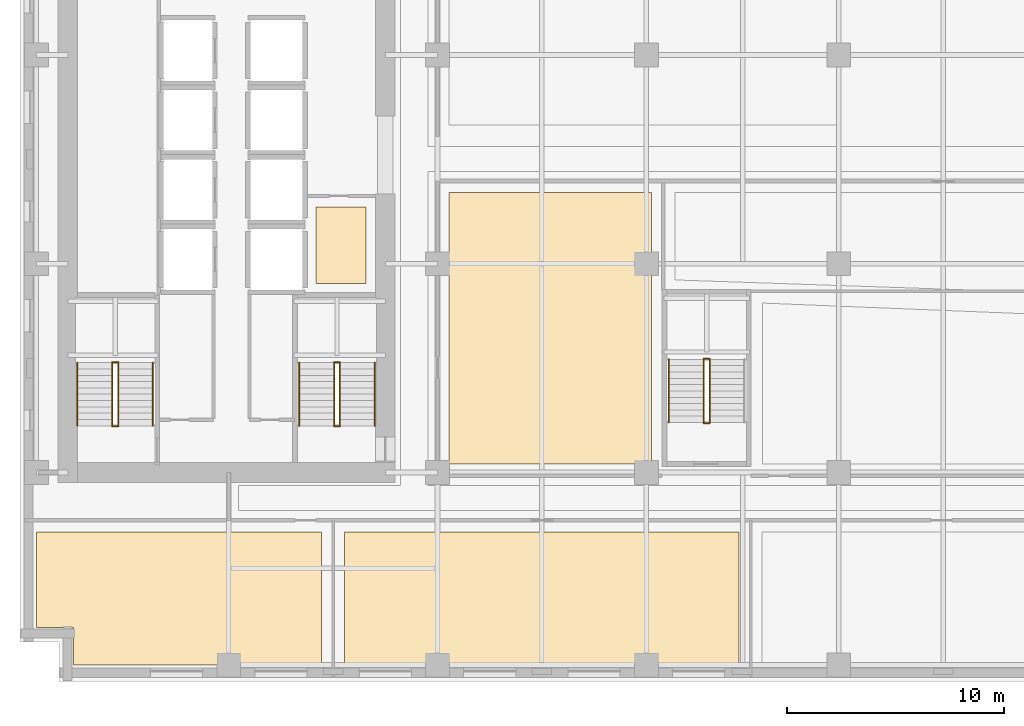
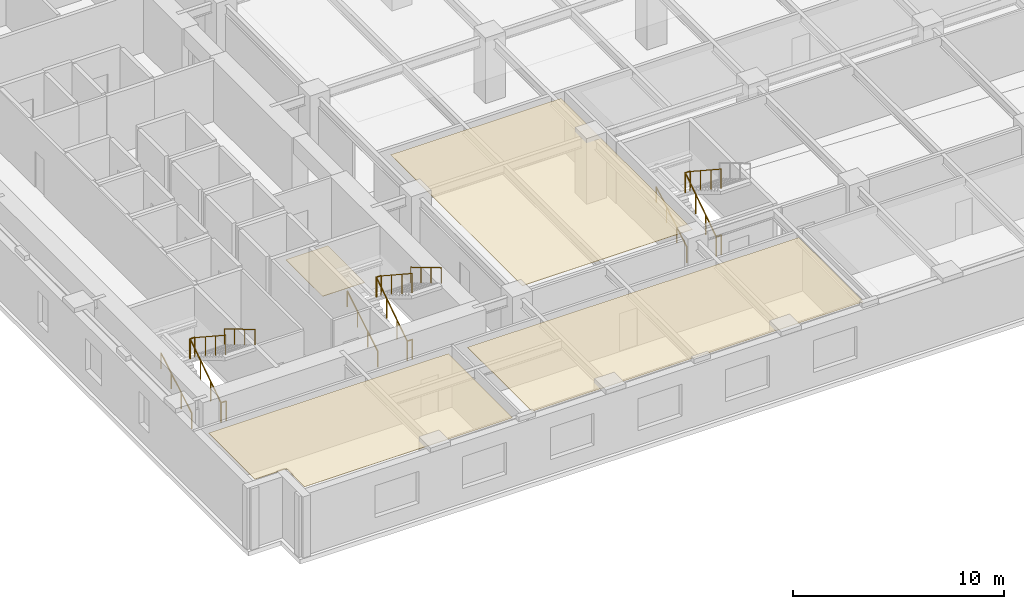
# One storey, part 9 of 13: 17 railings, 4 coverings.
"""IFC4 building model written with IfcOpenShell, lengths in metres."""

from ifc_helpers import new_model, si_unit, direction, frame, origin, origin_2d, place, context, subcontext, project, spatial, polyline, circle, outline, extrude, material, layer, layer_set, type_object, element, save


model = new_model("IFC4")

# Units and contexts
model_context = context("Model", 3, precision=1e-05, world=origin(), true_north=direction((0.0, 1.0)))
body_context = subcontext(model_context, "Body", "Model", "MODEL_VIEW")
ifc_project = project(units=[si_unit("LENGTHUNIT", "METRE"), si_unit("AREAUNIT", "SQUARE_METRE"), si_unit("VOLUMEUNIT", "CUBIC_METRE"), si_unit("PLANEANGLEUNIT", "RADIAN"), si_unit("MASSUNIT", "GRAM", prefix="KILO")], contexts=[model_context])

# Site, building, storey
site_placement = place(None, origin())
site = spatial("IfcSite", under=ifc_project, at=site_placement, CompositionType="ELEMENT")
building_placement = place(site_placement, origin())
building = spatial("IfcBuilding", under=site, at=building_placement, Name="Norrvale University Quadrangle", CompositionType="ELEMENT")
storey_placement = place(building_placement, frame((0.0, 0.0, 77.39990234375)))
storey = spatial("IfcBuildingStorey", under=building, at=storey_placement, Name="L19", CompositionType="ELEMENT", Elevation=77.39990234375)

# Coverings
ifc_material_1 = material(Name="Perforated Acoustic Mineral Ceiling")
ifc_layer_1 = layer(ifc_material_1, 0.02490234375, Name="Perforated Acoustic Mineral Ceiling")
ifc_layer_set_1 = layer_set([ifc_layer_1], Name="Perforated Acoustic Mineral Ceiling")
covering_type_1 = type_object("IfcCoveringType", Name="Covering Acoustic Ceiling 25", PredefinedType="CEILING", material=ifc_layer_set_1)
covering_1_placement = place(storey_placement, frame((0.0, 0.0, 3.51513671875)))
element("IfcCovering", 1, at=covering_1_placement, inside=storey, type_object=covering_type_1, Name="Acoustic Ceiling RM-L19-S01", PredefinedType="CEILING", context=body_context, shape_type="SweptSolid", body=[
    extrude(outline(polyline([(0.75, 6.8701171875), (13.8701171875, 6.8701171875), (13.8701171875, 0.75), (2.469970703125, 0.75), (2.469970703125, 2.469970703125), (0.75, 2.469970703125), (0.75, 6.8701171875)])), origin(), (0.0, 0.0, 1.0), 0.02490234375),
])
covering_2_placement = place(storey_placement, frame((0.0, 0.0, 3.51513671875)))
element("IfcCovering", 2, at=covering_2_placement, inside=storey, type_object=covering_type_1, Name="Acoustic Ceiling RM-L19-S02", PredefinedType="CEILING", context=body_context, shape_type="SweptSolid", body=[
    extrude(outline(polyline([(14.929931640625, 6.8701171875), (33.070068359375, 6.8701171875), (33.070068359375, 0.75), (14.929931640625, 0.75), (14.929931640625, 6.8701171875)])), origin(), (0.0, 0.0, 1.0), 0.02490234375),
])
covering_3_placement = place(storey_placement, frame((0.0, 0.0, 3.51513671875)))
element("IfcCovering", 3, at=covering_3_placement, inside=storey, type_object=covering_type_1, Name="Acoustic Ceiling RM-L19-IW1", PredefinedType="CEILING", context=body_context, shape_type="SweptSolid", body=[
    extrude(outline(polyline([(19.72998046875, 9.97998046875), (19.72998046875, 22.469970703125), (29.050048828125, 22.469970703125), (29.050048828125, 9.97998046875), (19.72998046875, 9.97998046875)])), origin(), (0.0, 0.0, 1.0), 0.02490234375),
])
ifc_material_2 = material(Name="Polished Terrazzo Flooring")
ifc_layer_2 = layer(ifc_material_2, 0.02490234375, Name="Polished Terrazzo Flooring")
ifc_layer_set_2 = layer_set([ifc_layer_2], Name="Polished Terrazzo Flooring")
covering_type_2 = type_object("IfcCoveringType", Name="Covering Terrazzo Floor 30", PredefinedType="FLOORING", material=ifc_layer_set_2)
covering_4_placement = place(storey_placement, origin())
element("IfcCovering", 4, at=covering_4_placement, inside=storey, type_object=covering_type_2, Name="Terrazzo Flooring RM-L19-JAN", PredefinedType="FLOORING", context=body_context, shape_type="SweptSolid", body=[
    extrude(outline(polyline([(13.60009765625, 18.300048828125), (13.60009765625, 21.800048828125), (15.89990234375, 21.800048828125), (15.89990234375, 18.300048828125), (13.60009765625, 18.300048828125)])), origin(), (0.0, 0.0, 1.0), 0.025146484375),
])

# Railings
ifc_material_3 = material(Name="Steel 350W Painted Balustrade", Category="steel")
railing_type_1 = type_object("IfcRailingType", Name="Railing Stair Guard 1100", PredefinedType="GUARDRAIL", material=ifc_material_3)
for number, where, name in (
    (5, (4.239990234375, 11.719970703125, 0.0), "Stair Floor Well Guard ST-01 L19"),
    (6, (4.239990234375, 14.679931640625, 1.900146484375), "Stair Mid-Landing Slot Guard ST-01 L19"),
):
    element("IfcRailing", number, at=place(storey_placement, frame(where)), inside=storey, type_object=railing_type_1, Name=name, PredefinedType="GUARDRAIL", context=body_context, shape_type="SweptSolid", body=[
        extrude(circle(Radius=0.02392578125, at=origin_2d()), frame((0.0, 0.0, 1.1259765625), z_axis=(1.0, 0.0, 0.0), x_axis=(0.0, 1.0, 0.0)), (0.0, 0.0, 1.0), 0.27001953125),
        extrude(circle(Radius=0.02099609375, at=origin_2d()), origin(), (0.0, 0.0, 1.0), 1.101806640625),
        extrude(circle(Radius=0.02099609375, at=origin_2d()), frame((0.27001953125, 0.0, 0.0)), (0.0, 0.0, 1.0), 1.101806640625),
    ])
railing_1_placement = place(storey_placement, frame((4.239990234375, 11.75, 0.0)))
element("IfcRailing", 7, at=railing_1_placement, inside=storey, type_object=railing_type_1, Name="Stair Lower Flight Inner Guard ST-01 L19", PredefinedType="GUARDRAIL", context=body_context, shape_type="SweptSolid", body=[
    extrude(circle(Radius=0.02392578125, at=origin_2d()), frame((0.0, 0.0, 1.1259765625), z_axis=(0.0, 0.836433300813, 0.548068730445), x_axis=(-1.0, 0.0, 0.0)), (0.0, 0.0, 1.0), 3.467041015625),
    extrude(circle(Radius=0.02099609375, at=origin_2d()), origin(), (0.0, 0.0, 1.0), 1.101806640625),
    extrude(circle(Radius=0.02099609375, at=origin_2d()), frame((0.0, 0.966552734375, 0.63330078125)), (0.0, 0.0, 1.0), 1.101806640625),
    extrude(circle(Radius=0.02099609375, at=origin_2d()), frame((0.0, 1.933349609375, 1.266845703125)), (0.0, 0.0, 1.0), 1.101806640625),
    extrude(circle(Radius=0.02099609375, at=origin_2d()), frame((0.0, 2.89990234375, 1.900146484375)), (0.0, 0.0, 1.0), 1.101806640625),
])
railing_2_placement = place(storey_placement, frame((4.510009765625, 14.64990234375, 1.900146484375)))
element("IfcRailing", 8, at=railing_2_placement, inside=storey, type_object=railing_type_1, Name="Stair Upper Flight Inner Guard ST-01 L19", PredefinedType="GUARDRAIL", context=body_context, shape_type="SweptSolid", body=[
    extrude(circle(Radius=0.02392578125, at=origin_2d()), frame((0.0, 0.0, 1.1259765625), z_axis=(0.0, -0.836465582154, 0.548019461216), x_axis=(1.0, 0.0, 0.0)), (0.0, 0.0, 1.0), 3.466796875),
    extrude(circle(Radius=0.02099609375, at=origin_2d()), origin(), (0.0, 0.0, 1.0), 1.101806640625),
    extrude(circle(Radius=0.02099609375, at=origin_2d()), frame((0.0, -0.966552734375, 0.63330078125)), (0.0, 0.0, 1.0), 1.101806640625),
    extrude(circle(Radius=0.02099609375, at=origin_2d()), frame((0.0, -1.933349609375, 1.2666015625)), (0.0, 0.0, 1.0), 1.101806640625),
    extrude(circle(Radius=0.02099609375, at=origin_2d()), frame((0.0, -2.89990234375, 1.89990234375)), (0.0, 0.0, 1.0), 1.101806640625),
])
for number, where, name in (
    (9, (14.43994140625, 11.719970703125, 0.0), "Stair Floor Well Guard ST-03 L19"),
    (10, (14.43994140625, 14.679931640625, 1.900146484375), "Stair Mid-Landing Slot Guard ST-03 L19"),
):
    element("IfcRailing", number, at=place(storey_placement, frame(where)), inside=storey, type_object=railing_type_1, Name=name, PredefinedType="GUARDRAIL", context=body_context, shape_type="SweptSolid", body=[
        extrude(circle(Radius=0.02392578125, at=origin_2d()), frame((0.0, 0.0, 1.1259765625), z_axis=(1.0, 0.0, 0.0), x_axis=(0.0, 1.0, 0.0)), (0.0, 0.0, 1.0), 0.27001953125),
        extrude(circle(Radius=0.02099609375, at=origin_2d()), origin(), (0.0, 0.0, 1.0), 1.101806640625),
        extrude(circle(Radius=0.02099609375, at=origin_2d()), frame((0.27001953125, 0.0, 0.0)), (0.0, 0.0, 1.0), 1.101806640625),
    ])
railing_3_placement = place(storey_placement, frame((14.43994140625, 11.75, 0.0)))
element("IfcRailing", 11, at=railing_3_placement, inside=storey, type_object=railing_type_1, Name="Stair Lower Flight Inner Guard ST-03 L19", PredefinedType="GUARDRAIL", context=body_context, shape_type="SweptSolid", body=[
    extrude(circle(Radius=0.02392578125, at=origin_2d()), frame((0.0, 0.0, 1.1259765625), z_axis=(0.0, 0.836433300813, 0.548068730445), x_axis=(-1.0, 0.0, 0.0)), (0.0, 0.0, 1.0), 3.467041015625),
    extrude(circle(Radius=0.02099609375, at=origin_2d()), origin(), (0.0, 0.0, 1.0), 1.101806640625),
    extrude(circle(Radius=0.02099609375, at=origin_2d()), frame((0.0, 0.966552734375, 0.63330078125)), (0.0, 0.0, 1.0), 1.101806640625),
    extrude(circle(Radius=0.02099609375, at=origin_2d()), frame((0.0, 1.933349609375, 1.266845703125)), (0.0, 0.0, 1.0), 1.101806640625),
    extrude(circle(Radius=0.02099609375, at=origin_2d()), frame((0.0, 2.89990234375, 1.900146484375)), (0.0, 0.0, 1.0), 1.101806640625),
])
railing_4_placement = place(storey_placement, frame((14.7099609375, 14.64990234375, 1.900146484375)))
element("IfcRailing", 12, at=railing_4_placement, inside=storey, type_object=railing_type_1, Name="Stair Upper Flight Inner Guard ST-03 L19", PredefinedType="GUARDRAIL", context=body_context, shape_type="SweptSolid", body=[
    extrude(circle(Radius=0.02392578125, at=origin_2d()), frame((0.0, 0.0, 1.1259765625), z_axis=(0.0, -0.836465582154, 0.548019461216), x_axis=(1.0, 0.0, 0.0)), (0.0, 0.0, 1.0), 3.466796875),
    extrude(circle(Radius=0.02099609375, at=origin_2d()), origin(), (0.0, 0.0, 1.0), 1.101806640625),
    extrude(circle(Radius=0.02099609375, at=origin_2d()), frame((0.0, -0.966552734375, 0.63330078125)), (0.0, 0.0, 1.0), 1.101806640625),
    extrude(circle(Radius=0.02099609375, at=origin_2d()), frame((0.0, -1.933349609375, 1.2666015625)), (0.0, 0.0, 1.0), 1.101806640625),
    extrude(circle(Radius=0.02099609375, at=origin_2d()), frame((0.0, -2.89990234375, 1.89990234375)), (0.0, 0.0, 1.0), 1.101806640625),
])
for number, where, name in (
    (13, (31.43994140625, 11.8701171875, 0.0), "Stair Floor Well Guard ST-04 L19"),
    (14, (31.43994140625, 14.830078125, 1.900146484375), "Stair Mid-Landing Slot Guard ST-04 L19"),
):
    element("IfcRailing", number, at=place(storey_placement, frame(where)), inside=storey, type_object=railing_type_1, Name=name, PredefinedType="GUARDRAIL", context=body_context, shape_type="SweptSolid", body=[
        extrude(circle(Radius=0.02392578125, at=origin_2d()), frame((0.0, 0.0, 1.1259765625), z_axis=(1.0, 0.0, 0.0), x_axis=(0.0, 1.0, 0.0)), (0.0, 0.0, 1.0), 0.27001953125),
        extrude(circle(Radius=0.02099609375, at=origin_2d()), origin(), (0.0, 0.0, 1.0), 1.101806640625),
        extrude(circle(Radius=0.02099609375, at=origin_2d()), frame((0.27001953125, 0.0, 0.0)), (0.0, 0.0, 1.0), 1.101806640625),
    ])
railing_5_placement = place(storey_placement, frame((31.43994140625, 11.89990234375, 0.0)))
element("IfcRailing", 15, at=railing_5_placement, inside=storey, type_object=railing_type_1, Name="Stair Lower Flight Inner Guard ST-04 L19", PredefinedType="GUARDRAIL", context=body_context, shape_type="SweptSolid", body=[
    extrude(circle(Radius=0.02392578125, at=origin_2d()), frame((0.0, 0.0, 1.1259765625), z_axis=(0.0, 0.836454451266, 0.548036450392), x_axis=(-1.0, 0.0, 0.0)), (0.0, 0.0, 1.0), 3.46728515625),
    extrude(circle(Radius=0.02099609375, at=origin_2d()), origin(), (0.0, 0.0, 1.0), 1.101806640625),
    extrude(circle(Radius=0.02099609375, at=origin_2d()), frame((0.0, 0.966796875, 0.63330078125)), (0.0, 0.0, 1.0), 1.101806640625),
    extrude(circle(Radius=0.02099609375, at=origin_2d()), frame((0.0, 1.933349609375, 1.266845703125)), (0.0, 0.0, 1.0), 1.101806640625),
    extrude(circle(Radius=0.02099609375, at=origin_2d()), frame((0.0, 2.900146484375, 1.900146484375)), (0.0, 0.0, 1.0), 1.101806640625),
])
railing_6_placement = place(storey_placement, frame((31.7099609375, 14.800048828125, 1.900146484375)))
element("IfcRailing", 16, at=railing_6_placement, inside=storey, type_object=railing_type_1, Name="Stair Upper Flight Inner Guard ST-04 L19", PredefinedType="GUARDRAIL", context=body_context, shape_type="SweptSolid", body=[
    extrude(circle(Radius=0.02392578125, at=origin_2d()), frame((0.0, 0.0, 1.1259765625), z_axis=(0.0, -0.836486729621, 0.547987181573), x_axis=(1.0, 0.0, 0.0)), (0.0, 0.0, 1.0), 3.467041015625),
    extrude(circle(Radius=0.02099609375, at=origin_2d()), origin(), (0.0, 0.0, 1.0), 1.101806640625),
    extrude(circle(Radius=0.02099609375, at=origin_2d()), frame((0.0, -0.966796875, 0.63330078125)), (0.0, 0.0, 1.0), 1.101806640625),
    extrude(circle(Radius=0.02099609375, at=origin_2d()), frame((0.0, -1.933349609375, 1.2666015625)), (0.0, 0.0, 1.0), 1.101806640625),
    extrude(circle(Radius=0.02099609375, at=origin_2d()), frame((0.0, -2.900146484375, 1.89990234375)), (0.0, 0.0, 1.0), 1.101806640625),
])
ifc_material_4 = material(Name="Stainless Steel 316L Handrail", Category="steel")
railing_type_2 = type_object("IfcRailingType", Name="Railing Stair Handrail 920", PredefinedType="HANDRAIL", material=ifc_material_4)
railing_7_placement = place(storey_placement, frame((2.639892578125, 11.75, 0.1728515625)))
element("IfcRailing", 17, at=railing_7_placement, inside=storey, type_object=railing_type_2, Name="Stair Lower Flight Handrail ST-01 L19", PredefinedType="HANDRAIL", context=body_context, shape_type="SweptSolid", body=[
    extrude(circle(Radius=0.02392578125, at=origin_2d()), frame((0.0, 0.0, 0.89599609375), z_axis=(0.0, 0.859141464434, 0.511738159696), x_axis=(-1.0, 0.0, 0.0)), (0.0, 0.0, 1.0), 3.375244140625),
    extrude(circle(Radius=0.02099609375, at=origin_2d()), origin(), (0.0, 0.0, 1.0), 0.871826171875),
    extrude(circle(Radius=0.02099609375, at=origin_2d()), frame((0.0, 0.966552734375, 0.57568359375)), (0.0, 0.0, 1.0), 0.871826171875),
    extrude(circle(Radius=0.02099609375, at=origin_2d()), frame((0.0, 1.933349609375, 1.151611328125)), (0.0, 0.0, 1.0), 0.871826171875),
    extrude(circle(Radius=0.02099609375, at=origin_2d()), frame((0.0, 2.89990234375, 1.727294921875)), (0.0, 0.0, 1.0), 0.871826171875),
])
railing_8_placement = place(storey_placement, frame((6.110107421875, 14.64990234375, 2.07275390625)))
element("IfcRailing", 18, at=railing_8_placement, inside=storey, type_object=railing_type_2, Name="Stair Upper Flight Handrail ST-01 L19", PredefinedType="HANDRAIL", context=body_context, shape_type="SweptSolid", body=[
    extrude(circle(Radius=0.02392578125, at=origin_2d()), frame((0.0, 0.0, 0.89599609375), z_axis=(0.0, -0.859141464434, 0.511738159696), x_axis=(1.0, 0.0, 0.0)), (0.0, 0.0, 1.0), 3.375244140625),
    extrude(circle(Radius=0.02099609375, at=origin_2d()), origin(), (0.0, 0.0, 1.0), 0.871826171875),
    extrude(circle(Radius=0.02099609375, at=origin_2d()), frame((0.0, -0.966552734375, 0.57568359375)), (0.0, 0.0, 1.0), 0.871826171875),
    extrude(circle(Radius=0.02099609375, at=origin_2d()), frame((0.0, -1.933349609375, 1.151611328125)), (0.0, 0.0, 1.0), 0.871826171875),
    extrude(circle(Radius=0.02099609375, at=origin_2d()), frame((0.0, -2.89990234375, 1.727294921875)), (0.0, 0.0, 1.0), 0.871826171875),
])
railing_9_placement = place(storey_placement, frame((12.840087890625, 11.75, 0.1728515625)))
element("IfcRailing", 19, at=railing_9_placement, inside=storey, type_object=railing_type_2, Name="Stair Lower Flight Handrail ST-03 L19", PredefinedType="HANDRAIL", context=body_context, shape_type="SweptSolid", body=[
    extrude(circle(Radius=0.02392578125, at=origin_2d()), frame((0.0, 0.0, 0.89599609375), z_axis=(0.0, 0.859141464434, 0.511738159696), x_axis=(-1.0, 0.0, 0.0)), (0.0, 0.0, 1.0), 3.375244140625),
    extrude(circle(Radius=0.02099609375, at=origin_2d()), origin(), (0.0, 0.0, 1.0), 0.871826171875),
    extrude(circle(Radius=0.02099609375, at=origin_2d()), frame((0.0, 0.966552734375, 0.57568359375)), (0.0, 0.0, 1.0), 0.871826171875),
    extrude(circle(Radius=0.02099609375, at=origin_2d()), frame((0.0, 1.933349609375, 1.151611328125)), (0.0, 0.0, 1.0), 0.871826171875),
    extrude(circle(Radius=0.02099609375, at=origin_2d()), frame((0.0, 2.89990234375, 1.727294921875)), (0.0, 0.0, 1.0), 0.871826171875),
])
railing_10_placement = place(storey_placement, frame((16.31005859375, 14.64990234375, 2.07275390625)))
element("IfcRailing", 20, at=railing_10_placement, inside=storey, type_object=railing_type_2, Name="Stair Upper Flight Handrail ST-03 L19", PredefinedType="HANDRAIL", context=body_context, shape_type="SweptSolid", body=[
    extrude(circle(Radius=0.02392578125, at=origin_2d()), frame((0.0, 0.0, 0.89599609375), z_axis=(0.0, -0.859141464434, 0.511738159696), x_axis=(1.0, 0.0, 0.0)), (0.0, 0.0, 1.0), 3.375244140625),
    extrude(circle(Radius=0.02099609375, at=origin_2d()), origin(), (0.0, 0.0, 1.0), 0.871826171875),
    extrude(circle(Radius=0.02099609375, at=origin_2d()), frame((0.0, -0.966552734375, 0.57568359375)), (0.0, 0.0, 1.0), 0.871826171875),
    extrude(circle(Radius=0.02099609375, at=origin_2d()), frame((0.0, -1.933349609375, 1.151611328125)), (0.0, 0.0, 1.0), 0.871826171875),
    extrude(circle(Radius=0.02099609375, at=origin_2d()), frame((0.0, -2.89990234375, 1.727294921875)), (0.0, 0.0, 1.0), 0.871826171875),
])
railing_11_placement = place(storey_placement, frame((29.840087890625, 11.89990234375, 0.1728515625)))
element("IfcRailing", 21, at=railing_11_placement, inside=storey, type_object=railing_type_2, Name="Stair Lower Flight Handrail ST-04 L19", PredefinedType="HANDRAIL", context=body_context, shape_type="SweptSolid", body=[
    extrude(circle(Radius=0.02392578125, at=origin_2d()), frame((0.0, 0.0, 0.89599609375), z_axis=(0.0, 0.859160404282, 0.51170636083), x_axis=(-1.0, 0.0, 0.0)), (0.0, 0.0, 1.0), 3.37548828125),
    extrude(circle(Radius=0.02099609375, at=origin_2d()), origin(), (0.0, 0.0, 1.0), 0.871826171875),
    extrude(circle(Radius=0.02099609375, at=origin_2d()), frame((0.0, 0.966796875, 0.57568359375)), (0.0, 0.0, 1.0), 0.871826171875),
    extrude(circle(Radius=0.02099609375, at=origin_2d()), frame((0.0, 1.933349609375, 1.151611328125)), (0.0, 0.0, 1.0), 0.871826171875),
    extrude(circle(Radius=0.02099609375, at=origin_2d()), frame((0.0, 2.900146484375, 1.727294921875)), (0.0, 0.0, 1.0), 0.871826171875),
])

save(model, "model.ifc")
